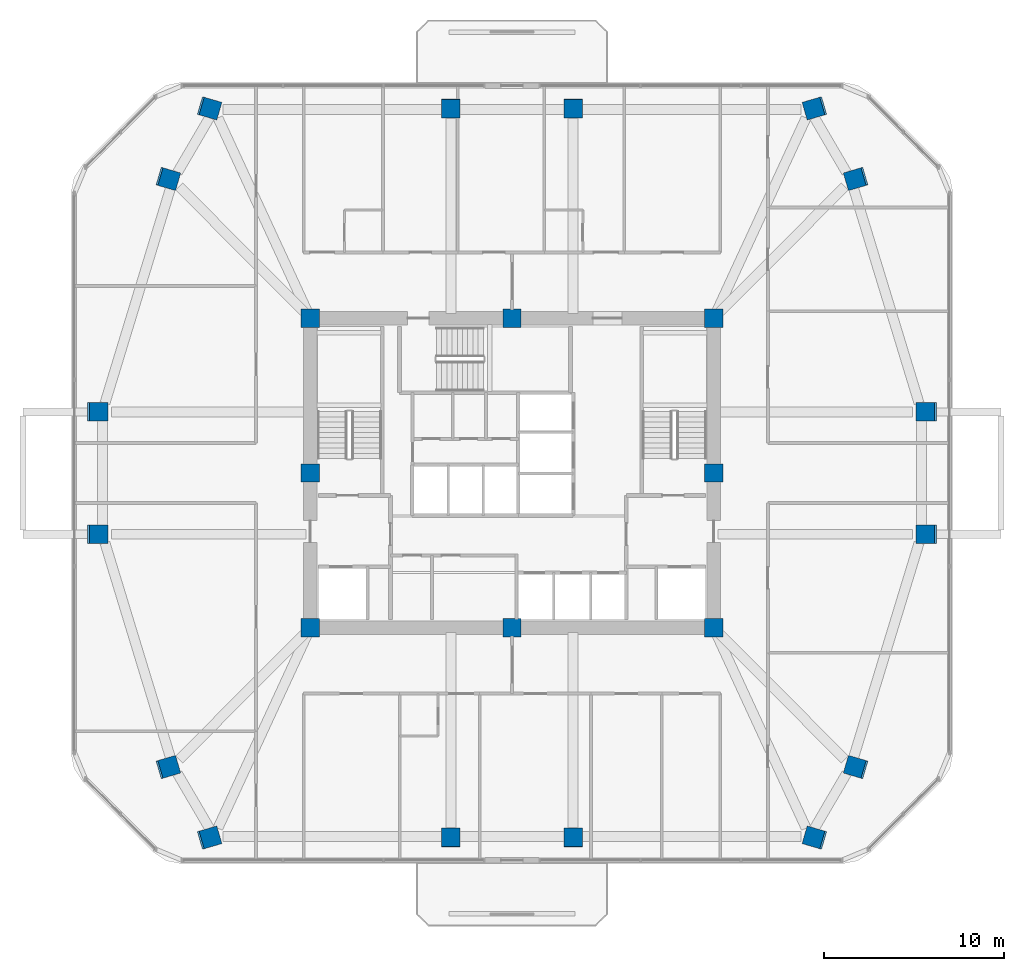
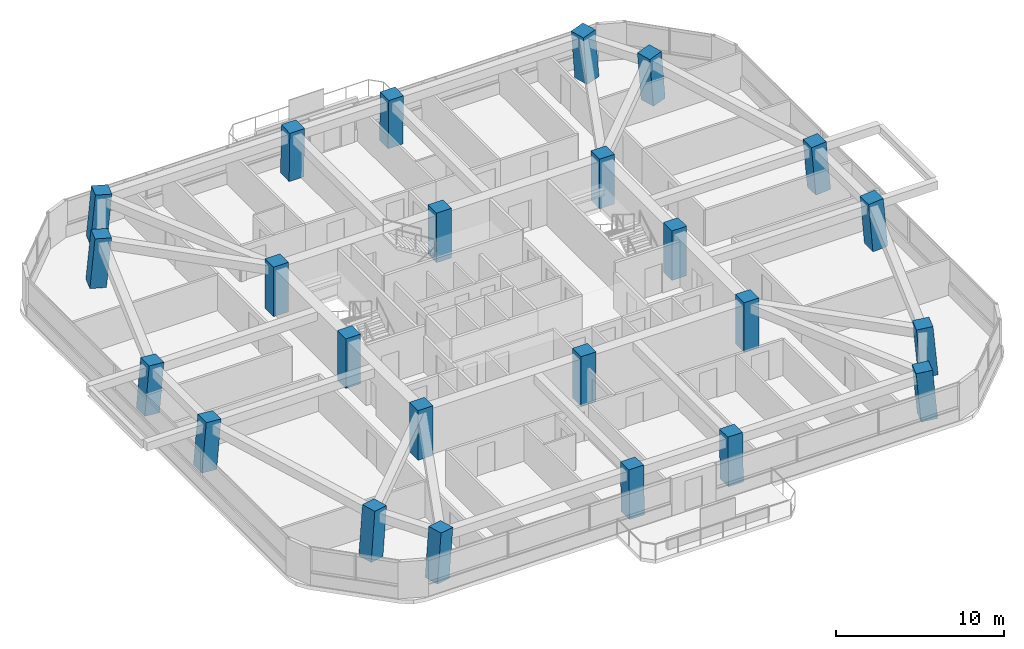
# One storey, part 1 of 13: 24 columns.
"""IFC4 building model written with IfcOpenShell, lengths in metres."""

from ifc_helpers import new_model, si_unit, derived_unit, direction, frame, origin, origin_2d, place, context, subcontext, project, spatial, rectangle, extrude, material, material_profile, profile_set, type_object, element, save


model = new_model("IFC4")

# Units and contexts
model_context = context("Model", 3, precision=1e-05, world=origin(), true_north=direction((0.0, 1.0)))
body_context = subcontext(model_context, "Body", "Model", "MODEL_VIEW")
ifc_project = project(units=[si_unit("LENGTHUNIT", "METRE"), si_unit("AREAUNIT", "SQUARE_METRE"), si_unit("VOLUMEUNIT", "CUBIC_METRE"), si_unit("PLANEANGLEUNIT", "RADIAN"), si_unit("MASSUNIT", "GRAM", prefix="KILO"), derived_unit("THERMALTRANSMITTANCEUNIT", [(si_unit("POWERUNIT", "WATT"), 1), (si_unit("LENGTHUNIT", "METRE"), -2), (si_unit("THERMODYNAMICTEMPERATUREUNIT", "KELVIN"), -1)])], contexts=[model_context])

# Site, building, storey
site_placement = place(None, origin())
site = spatial("IfcSite", under=ifc_project, at=site_placement, CompositionType="ELEMENT")
building_placement = place(site_placement, origin())
building = spatial("IfcBuilding", under=site, at=building_placement, Name="Koralith Skygarden Medical Center", CompositionType="ELEMENT")
storey_placement = place(building_placement, frame((0.0, 0.0, 117.179931640625)))
storey = spatial("IfcBuildingStorey", under=building, at=storey_placement, Name="L30", CompositionType="ELEMENT", Elevation=117.179931640625)

# Columns
ifc_material = material(Name="Concrete C70/85", Category="concrete")
ifc_material_profile_1 = material_profile(ifc_material, rectangle(XDim=1.02001953125, YDim=1.02001953125, at=origin_2d()), Name="RC1020X1020")
ifc_profile_set_1 = profile_set([ifc_material_profile_1], Name="Concrete C70/85")
column_type_1 = type_object("IfcColumnType", Name="Core Mega-Column C70 RC1020", PredefinedType="COLUMN", material=ifc_profile_set_1)
for number, where, z_axis, x_axis, name in (
    (1, (25.800048828125, 17.300048828125, 0.0), (0.0, 0.0, 1.0), (1.0, 0.0, 0.0), "L30 Core Column CC-01"),
    (2, (37.0, 17.300048828125, 0.0), (0.0, 0.0, 1.0), (1.0, 0.0, 0.0), "L30 Core Column CC-02"),
    (3, (48.199951171875, 17.300048828125, 0.0), (0.0, 0.0, 1.0), (1.0, 0.0, 0.0), "L30 Core Column CC-03"),
    (4, (48.199951171875, 25.89990234375, 0.0), (0.0, 0.0, 1.0), (1.0, 0.0, 0.0), "L30 Core Column CC-04"),
    (5, (48.199951171875, 34.5, 0.0), (0.0, 0.0, 1.0), (1.0, 0.0, 0.0), "L30 Core Column CC-05"),
    (6, (37.0, 34.5, 0.0), (0.0, 0.0, 1.0), (1.0, 0.0, 0.0), "L30 Core Column CC-06"),
    (7, (25.800048828125, 34.5, 0.0), (0.0, 0.0, 1.0), (1.0, 0.0, 0.0), "L30 Core Column CC-07"),
    (8, (25.800048828125, 25.89990234375, 0.0), (0.0, 0.0, 1.0), (1.0, 0.0, 0.0), "L30 Core Column CC-08"),
):
    element("IfcColumn", number, at=place(storey_placement, frame(where, z_axis=z_axis, x_axis=x_axis)), inside=storey, type_object=column_type_1, Name=name, PredefinedType="COLUMN", context=body_context, shape_type="SweptSolid", body=[
        extrude(rectangle(XDim=1.02001953125, YDim=1.02001953125, at=origin_2d()), origin(), (0.0, 0.0, 1.0), 3.60009765625),
    ])
ifc_material_profile_2 = material_profile(ifc_material, rectangle(XDim=1.02001953125, YDim=1.02001953125, at=origin_2d()), Name="RC1020X1020")
ifc_profile_set_2 = profile_set([ifc_material_profile_2], Name="Concrete C70/85")
column_type_2 = type_object("IfcColumnType", Name="Zone 2 Waist-In Mega-Column C70 RC1020", PredefinedType="COLUMN", material=ifc_profile_set_2)
column_1_placement = place(storey_placement, frame((13.93798828125, 22.5, 0.02099609375), z_axis=(0.084573087246, 0.0, 0.99641727851), x_axis=(0.0, 1.0, 0.0)))
element("IfcColumn", 9, at=column_1_placement, inside=storey, type_object=column_type_2, Name="L30 Perimeter Mega-Column MC-01", PredefinedType="COLUMN", context=body_context, shape_type="SweptSolid", body=[
    extrude(rectangle(XDim=1.02001953125, YDim=1.02001953125, at=origin_2d()), origin(), (0.0, 0.0, 1.0), 3.57080078125),
])
for number, where, z_axis, x_axis, name in (
    (10, (17.85888671875, 9.548095703125, 0.02099609375), (0.084546909741, 0.024878799633, 0.996108862214), (-0.282292283154, 0.959328445774, 0.0), "L30 Perimeter Mega-Column MC-02"),
    (11, (20.14990234375, 5.6279296875, 0.02099609375), (0.084547339264, 0.024673879931, 0.996113922738), (-0.280148995539, 0.959956530421, 0.0), "L30 Perimeter Mega-Column MC-03"),
):
    element("IfcColumn", number, at=place(storey_placement, frame(where, z_axis=z_axis, x_axis=x_axis)), inside=storey, type_object=column_type_2, Name=name, PredefinedType="COLUMN", context=body_context, shape_type="SweptSolid", body=[
        extrude(rectangle(XDim=1.02001953125, YDim=1.02001953125, at=origin_2d()), origin(), (0.0, 0.0, 1.0), 3.572021484375),
    ])
for number, where, z_axis, x_axis, name in (
    (12, (33.60009765625, 5.6279296875, 0.02099609375), (0.0, 0.024762543118, 0.999693361215), (-1.0, 0.0, 0.0), "L30 Perimeter Mega-Column MC-04"),
    (13, (40.39990234375, 5.6279296875, 0.02099609375), (0.0, 0.024762543118, 0.999693361215), (-1.0, 0.0, 0.0), "L30 Perimeter Mega-Column MC-05"),
):
    element("IfcColumn", number, at=place(storey_placement, frame(where, z_axis=z_axis, x_axis=x_axis)), inside=storey, type_object=column_type_2, Name=name, PredefinedType="COLUMN", context=body_context, shape_type="SweptSolid", body=[
        extrude(rectangle(XDim=1.02001953125, YDim=1.02001953125, at=origin_2d()), origin(), (0.0, 0.0, 1.0), 3.55908203125),
    ])
for number, where, z_axis, x_axis, name in (
    (14, (53.85009765625, 5.6279296875, 0.02099609375), (-0.084547339264, 0.024673879931, 0.996113922738), (-0.280148995539, -0.959956530421, 0.0), "L30 Perimeter Mega-Column MC-06"),
    (15, (56.14111328125, 9.548095703125, 0.02099609375), (-0.084546909741, 0.024878799633, 0.996108862214), (-0.282292283154, -0.959328445774, 0.0), "L30 Perimeter Mega-Column MC-07"),
):
    element("IfcColumn", number, at=place(storey_placement, frame(where, z_axis=z_axis, x_axis=x_axis)), inside=storey, type_object=column_type_2, Name=name, PredefinedType="COLUMN", context=body_context, shape_type="SweptSolid", body=[
        extrude(rectangle(XDim=1.02001953125, YDim=1.02001953125, at=origin_2d()), origin(), (0.0, 0.0, 1.0), 3.572021484375),
    ])
for number, where, z_axis, x_axis, name in (
    (16, (60.06201171875, 22.5, 0.02099609375), (-0.084573087246, 0.0, 0.99641727851), (0.0, -1.0, 0.0), "L30 Perimeter Mega-Column MC-08"),
    (17, (60.06201171875, 29.300048828125, 0.02099609375), (-0.084573087246, 0.0, 0.99641727851), (0.0, -1.0, 0.0), "L30 Perimeter Mega-Column MC-09"),
):
    element("IfcColumn", number, at=place(storey_placement, frame(where, z_axis=z_axis, x_axis=x_axis)), inside=storey, type_object=column_type_2, Name=name, PredefinedType="COLUMN", context=body_context, shape_type="SweptSolid", body=[
        extrude(rectangle(XDim=1.02001953125, YDim=1.02001953125, at=origin_2d()), origin(), (0.0, 0.0, 1.0), 3.57080078125),
    ])
for number, where, z_axis, x_axis, name in (
    (18, (56.14111328125, 42.251953125, 0.02099609375), (-0.084546909741, -0.024878799633, 0.996108862214), (0.282292283154, -0.959328445774, 0.0), "L30 Perimeter Mega-Column MC-10"),
    (19, (53.85009765625, 46.172119140625, 0.02099609375), (-0.084547339264, -0.024673879931, 0.996113922738), (0.280148995539, -0.959956530421, 0.0), "L30 Perimeter Mega-Column MC-11"),
):
    element("IfcColumn", number, at=place(storey_placement, frame(where, z_axis=z_axis, x_axis=x_axis)), inside=storey, type_object=column_type_2, Name=name, PredefinedType="COLUMN", context=body_context, shape_type="SweptSolid", body=[
        extrude(rectangle(XDim=1.02001953125, YDim=1.02001953125, at=origin_2d()), origin(), (0.0, 0.0, 1.0), 3.572021484375),
    ])
for number, where, z_axis, x_axis, name in (
    (20, (40.39990234375, 46.172119140625, 0.02099609375), (0.0, -0.024762543118, 0.999693361215), (1.0, 0.0, 0.0), "L30 Perimeter Mega-Column MC-12"),
    (21, (33.60009765625, 46.172119140625, 0.02099609375), (0.0, -0.024762543118, 0.999693361215), (1.0, 0.0, 0.0), "L30 Perimeter Mega-Column MC-13"),
):
    element("IfcColumn", number, at=place(storey_placement, frame(where, z_axis=z_axis, x_axis=x_axis)), inside=storey, type_object=column_type_2, Name=name, PredefinedType="COLUMN", context=body_context, shape_type="SweptSolid", body=[
        extrude(rectangle(XDim=1.02001953125, YDim=1.02001953125, at=origin_2d()), origin(), (0.0, 0.0, 1.0), 3.55908203125),
    ])
for number, where, z_axis, x_axis, name in (
    (22, (20.14990234375, 46.172119140625, 0.02099609375), (0.084547339264, -0.024673879931, 0.996113922738), (0.280148995539, 0.959956530421, 0.0), "L30 Perimeter Mega-Column MC-14"),
    (23, (17.85888671875, 42.251953125, 0.02099609375), (0.084546909741, -0.024878799633, 0.996108862214), (0.282292283154, 0.959328445774, 0.0), "L30 Perimeter Mega-Column MC-15"),
):
    element("IfcColumn", number, at=place(storey_placement, frame(where, z_axis=z_axis, x_axis=x_axis)), inside=storey, type_object=column_type_2, Name=name, PredefinedType="COLUMN", context=body_context, shape_type="SweptSolid", body=[
        extrude(rectangle(XDim=1.02001953125, YDim=1.02001953125, at=origin_2d()), origin(), (0.0, 0.0, 1.0), 3.572021484375),
    ])
column_2_placement = place(storey_placement, frame((13.93798828125, 29.300048828125, 0.02099609375), z_axis=(0.084573087246, 0.0, 0.99641727851), x_axis=(0.0, 1.0, 0.0)))
element("IfcColumn", 24, at=column_2_placement, inside=storey, type_object=column_type_2, Name="L30 Perimeter Mega-Column MC-16", PredefinedType="COLUMN", context=body_context, shape_type="SweptSolid", body=[
    extrude(rectangle(XDim=1.02001953125, YDim=1.02001953125, at=origin_2d()), origin(), (0.0, 0.0, 1.0), 3.57080078125),
])

save(model, "model.ifc")
